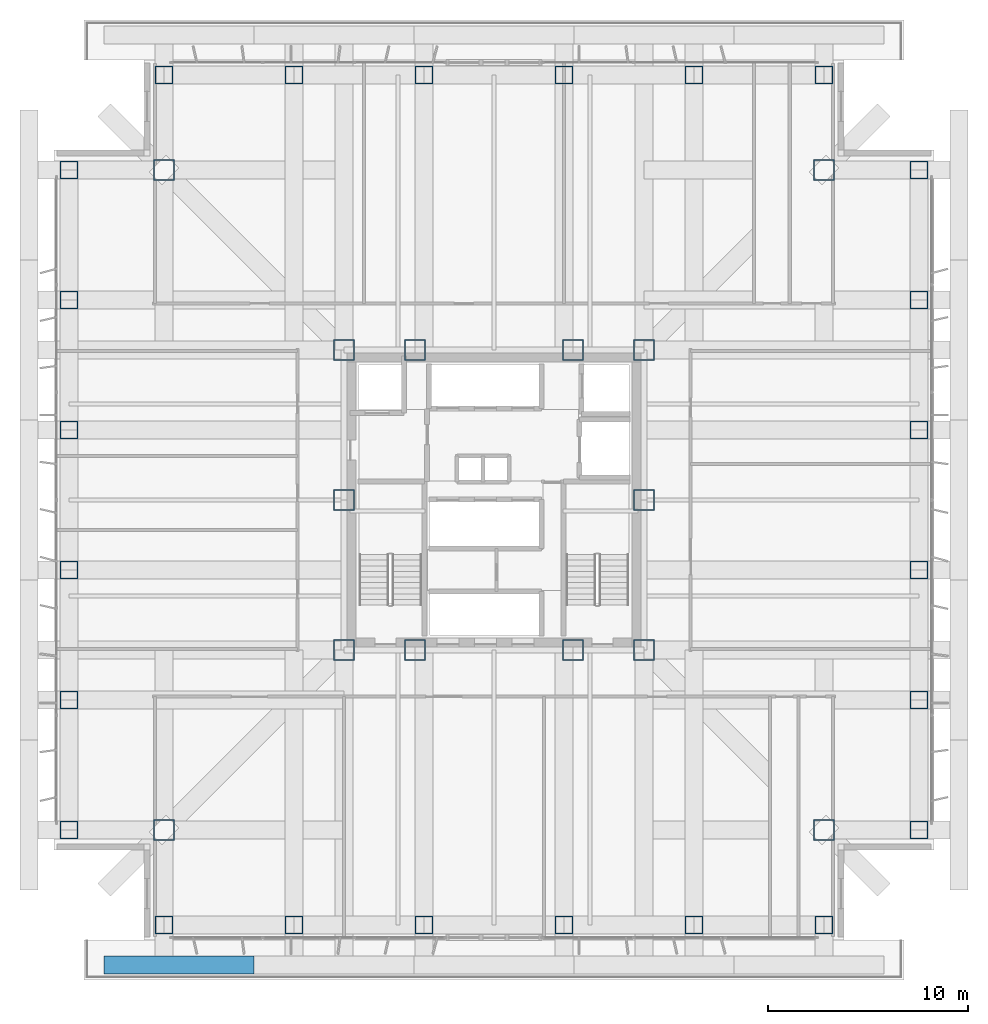
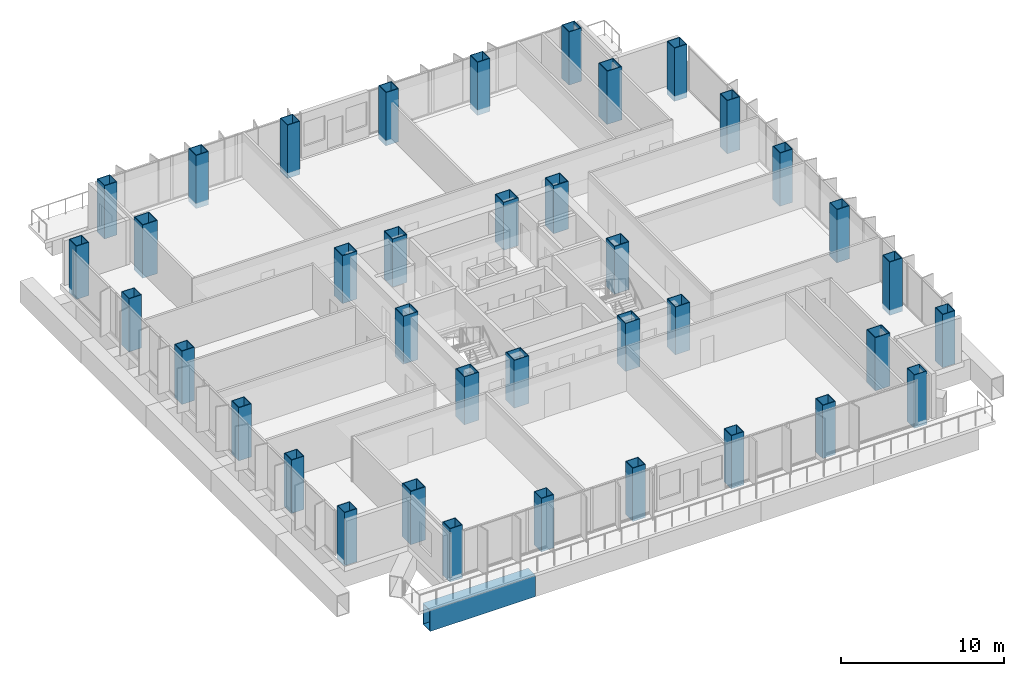
# One storey, part 1 of 17: 38 columns, 1 beam.
"""IFC4 building model written with IfcOpenShell, lengths in metres."""

from ifc_helpers import new_model, si_unit, direction, frame, origin, origin_2d, place, context, subcontext, project, spatial, hollow_rectangle, extrude, material, material_profile, profile_set, type_object, element, save


model = new_model("IFC4")

# Units and contexts
model_context = context("Model", 3, precision=1e-05, world=origin(), true_north=direction((0.0, 1.0)))
body_context = subcontext(model_context, "Body", "Model", "MODEL_VIEW")
ifc_project = project(units=[si_unit("LENGTHUNIT", "METRE"), si_unit("AREAUNIT", "SQUARE_METRE"), si_unit("VOLUMEUNIT", "CUBIC_METRE"), si_unit("PLANEANGLEUNIT", "RADIAN"), si_unit("MASSUNIT", "GRAM", prefix="KILO")], contexts=[model_context])

# Site, building, storey
site_placement = place(None, origin())
site = spatial("IfcSite", under=ifc_project, at=site_placement, CompositionType="ELEMENT")
building_placement = place(site_placement, origin())
building = spatial("IfcBuilding", under=site, at=building_placement, Name="Trevonay Congress Spire", CompositionType="ELEMENT")
storey_placement = place(building_placement, frame((0.0, 0.0, 94.0)))
storey = spatial("IfcBuildingStorey", under=building, at=storey_placement, Name="L23", CompositionType="ELEMENT", Elevation=94.0)

# Columns
ifc_material = material(Name="Steel ASTM A572 Grade 50", Category="steel")
ifc_material_profile_1 = material_profile(ifc_material, hollow_rectangle(XDim=1.050048828125, YDim=1.050048828125, WallThickness=0.050048828125, at=origin_2d()), Name="BOX 1050x1050x50")
ifc_profile_set_1 = profile_set([ifc_material_profile_1], Name="Steel ASTM A572 Grade 50")
column_type_1 = type_object("IfcColumnType", Name="COL-CORE-BOX1050", PredefinedType="COLUMN", material=ifc_profile_set_1)
for number, where, z_axis, x_axis, name in (
    (1, (-7.5, -7.5, 0.0), (0.0, 0.0, 1.0), (1.0, 0.0, 0.0), "L23 column C03 at CC-SW"),
    (2, (-3.949951171875, -7.5, 0.0), (0.0, 0.0, 1.0), (1.0, 0.0, 0.0), "L23 column C03 at CC-SMW"),
    (3, (3.949951171875, -7.5, 0.0), (0.0, 0.0, 1.0), (1.0, 0.0, 0.0), "L23 column C03 at CC-SME"),
    (4, (7.5, -7.5, 0.0), (0.0, 0.0, 1.0), (1.0, 0.0, 0.0), "L23 column C03 at CC-SE"),
    (5, (7.5, 0.0, 0.0), (0.0, 0.0, 1.0), (1.0, 0.0, 0.0), "L23 column C03 at CC-E"),
    (6, (7.5, 7.5, 0.0), (0.0, 0.0, 1.0), (1.0, 0.0, 0.0), "L23 column C03 at CC-NE"),
    (7, (3.949951171875, 7.5, 0.0), (0.0, 0.0, 1.0), (1.0, 0.0, 0.0), "L23 column C03 at CC-NME"),
    (8, (-3.949951171875, 7.5, 0.0), (0.0, 0.0, 1.0), (1.0, 0.0, 0.0), "L23 column C03 at CC-NMW"),
    (9, (-7.5, 7.5, 0.0), (0.0, 0.0, 1.0), (1.0, 0.0, 0.0), "L23 column C03 at CC-NW"),
    (10, (-7.5, 0.0, 0.0), (0.0, 0.0, 1.0), (1.0, 0.0, 0.0), "L23 column C03 at CC-W"),
):
    element("IfcColumn", number, at=place(storey_placement, frame(where, z_axis=z_axis, x_axis=x_axis)), inside=storey, type_object=column_type_1, Name=name, PredefinedType="COLUMN", context=body_context, shape_type="SweptSolid", body=[
        extrude(hollow_rectangle(XDim=1.050048828125, YDim=1.050048828125, WallThickness=0.050048828125, at=origin_2d()), origin(), (0.0, 0.0, 1.0), 3.60009765625),
    ])
ifc_material_profile_2 = material_profile(ifc_material, hollow_rectangle(XDim=1.050048828125, YDim=1.050048828125, WallThickness=0.050048828125, at=origin_2d()), Name="BOX 1050x1050x50")
ifc_profile_set_2 = profile_set([ifc_material_profile_2], Name="Steel ASTM A572 Grade 50")
column_type_2 = type_object("IfcColumnType", Name="COL-TUBE-BOX1050", PredefinedType="COLUMN", material=ifc_profile_set_2)
for number, where, z_axis, x_axis, name in (
    (11, (-16.5, -16.5, -0.39990234375), (0.0, 0.0, 1.0), (1.0, 0.0, 0.0), "L23 column C14 at NC-SW"),
    (12, (16.5, -16.5, -0.39990234375), (0.0, 0.0, 1.0), (1.0, 0.0, 0.0), "L23 column C14 at NC-SE"),
    (13, (16.5, 16.5, -0.39990234375), (0.0, 0.0, 1.0), (1.0, 0.0, 0.0), "L23 column C14 at NC-NE"),
    (14, (-16.5, 16.5, -0.39990234375), (0.0, 0.0, 1.0), (1.0, 0.0, 0.0), "L23 column C14 at NC-NW"),
):
    element("IfcColumn", number, at=place(storey_placement, frame(where, z_axis=z_axis, x_axis=x_axis)), inside=storey, type_object=column_type_2, Name=name, PredefinedType="COLUMN", context=body_context, shape_type="SweptSolid", body=[
        extrude(hollow_rectangle(XDim=1.050048828125, YDim=1.050048828125, WallThickness=0.050048828125, at=origin_2d()), origin(), (0.0, 0.0, 1.0), 4.0),
    ])
ifc_material_profile_3 = material_profile(ifc_material, hollow_rectangle(XDim=0.89990234375, YDim=0.89990234375, WallThickness=0.044921875, at=origin_2d()), Name="BOX 900x900x45")
ifc_profile_set_3 = profile_set([ifc_material_profile_3], Name="Steel ASTM A572 Grade 50")
column_type_3 = type_object("IfcColumnType", Name="COL-TUBE-BOX900", PredefinedType="COLUMN", material=ifc_profile_set_3)
for number, where, z_axis, x_axis, name in (
    (15, (-16.5, -21.25, -0.39990234375), (0.0, 0.0, 1.0), (1.0, 0.0, 0.0), "L23 column C15 at TS-1"),
    (16, (-16.5, 21.25, -0.39990234375), (0.0, 0.0, 1.0), (1.0, 0.0, 0.0), "L23 column C15 at TN-1"),
    (17, (-21.25, -16.5, -0.39990234375), (0.0, 0.0, 1.0), (1.0, 0.0, 0.0), "L23 column C15 at TW-1"),
    (18, (21.25, -16.5, -0.39990234375), (0.0, 0.0, 1.0), (1.0, 0.0, 0.0), "L23 column C15 at TE-1"),
    (19, (-10.0, -21.25, -0.39990234375), (0.0, 0.0, 1.0), (1.0, 0.0, 0.0), "L23 column C15 at TS-2"),
    (20, (-10.0, 21.25, -0.39990234375), (0.0, 0.0, 1.0), (1.0, 0.0, 0.0), "L23 column C15 at TN-2"),
    (21, (-21.25, -10.0, -0.39990234375), (0.0, 0.0, 1.0), (1.0, 0.0, 0.0), "L23 column C15 at TW-2"),
    (22, (21.25, -10.0, -0.39990234375), (0.0, 0.0, 1.0), (1.0, 0.0, 0.0), "L23 column C15 at TE-2"),
    (23, (-3.5, -21.25, -0.39990234375), (0.0, 0.0, 1.0), (1.0, 0.0, 0.0), "L23 column C15 at TS-3"),
    (24, (-3.5, 21.25, -0.39990234375), (0.0, 0.0, 1.0), (1.0, 0.0, 0.0), "L23 column C15 at TN-3"),
    (25, (-21.25, -3.5, -0.39990234375), (0.0, 0.0, 1.0), (1.0, 0.0, 0.0), "L23 column C15 at TW-3"),
    (26, (21.25, -3.5, -0.39990234375), (0.0, 0.0, 1.0), (1.0, 0.0, 0.0), "L23 column C15 at TE-3"),
    (27, (3.5, -21.25, -0.39990234375), (0.0, 0.0, 1.0), (1.0, 0.0, 0.0), "L23 column C15 at TS-4"),
    (28, (3.5, 21.25, -0.39990234375), (0.0, 0.0, 1.0), (1.0, 0.0, 0.0), "L23 column C15 at TN-4"),
    (29, (-21.25, 3.5, -0.39990234375), (0.0, 0.0, 1.0), (1.0, 0.0, 0.0), "L23 column C15 at TW-4"),
    (30, (21.25, 3.5, -0.39990234375), (0.0, 0.0, 1.0), (1.0, 0.0, 0.0), "L23 column C15 at TE-4"),
    (31, (10.0, -21.25, -0.39990234375), (0.0, 0.0, 1.0), (1.0, 0.0, 0.0), "L23 column C15 at TS-5"),
    (32, (10.0, 21.25, -0.39990234375), (0.0, 0.0, 1.0), (1.0, 0.0, 0.0), "L23 column C15 at TN-5"),
    (33, (-21.25, 10.0, -0.39990234375), (0.0, 0.0, 1.0), (1.0, 0.0, 0.0), "L23 column C15 at TW-5"),
    (34, (21.25, 10.0, -0.39990234375), (0.0, 0.0, 1.0), (1.0, 0.0, 0.0), "L23 column C15 at TE-5"),
    (35, (16.5, -21.25, -0.39990234375), (0.0, 0.0, 1.0), (1.0, 0.0, 0.0), "L23 column C15 at TS-6"),
    (36, (16.5, 21.25, -0.39990234375), (0.0, 0.0, 1.0), (1.0, 0.0, 0.0), "L23 column C15 at TN-6"),
    (37, (-21.25, 16.5, -0.39990234375), (0.0, 0.0, 1.0), (1.0, 0.0, 0.0), "L23 column C15 at TW-6"),
    (38, (21.25, 16.5, -0.39990234375), (0.0, 0.0, 1.0), (1.0, 0.0, 0.0), "L23 column C15 at TE-6"),
):
    element("IfcColumn", number, at=place(storey_placement, frame(where, z_axis=z_axis, x_axis=x_axis)), inside=storey, type_object=column_type_3, Name=name, PredefinedType="COLUMN", context=body_context, shape_type="SweptSolid", body=[
        extrude(hollow_rectangle(XDim=0.89990234375, YDim=0.89990234375, WallThickness=0.044921875, at=origin_2d()), origin(), (0.0, 0.0, 1.0), 4.0),
    ])

# Beam
ifc_material_profile_4 = material_profile(ifc_material, hollow_rectangle(XDim=0.89990234375, YDim=1.60009765625, WallThickness=0.06005859375, at=origin_2d()), Name="BOX 1600x900x60")
ifc_profile_set_4 = profile_set([ifc_material_profile_4], Name="Steel ASTM A572 Grade 50")
beam_type = type_object("IfcBeamType", Name="BM-RING-BOX1600", PredefinedType="BEAM", material=ifc_profile_set_4)
beam_placement = place(storey_placement, frame((-19.5, -23.25, -1.199951171875), z_axis=(1.0, 0.0, 0.0), x_axis=(0.0, 1.0, 0.0)))
element("IfcBeam", 39, at=beam_placement, inside=storey, type_object=beam_type, Name="L23 structural beam XOUT-L23-S0", PredefinedType="BEAM", context=body_context, shape_type="SweptSolid", body=[
    extrude(hollow_rectangle(XDim=0.89990234375, YDim=1.60009765625, WallThickness=0.06005859375, at=origin_2d()), origin(), (0.0, 0.0, 1.0), 7.5),
])

save(model, "model.ifc")
